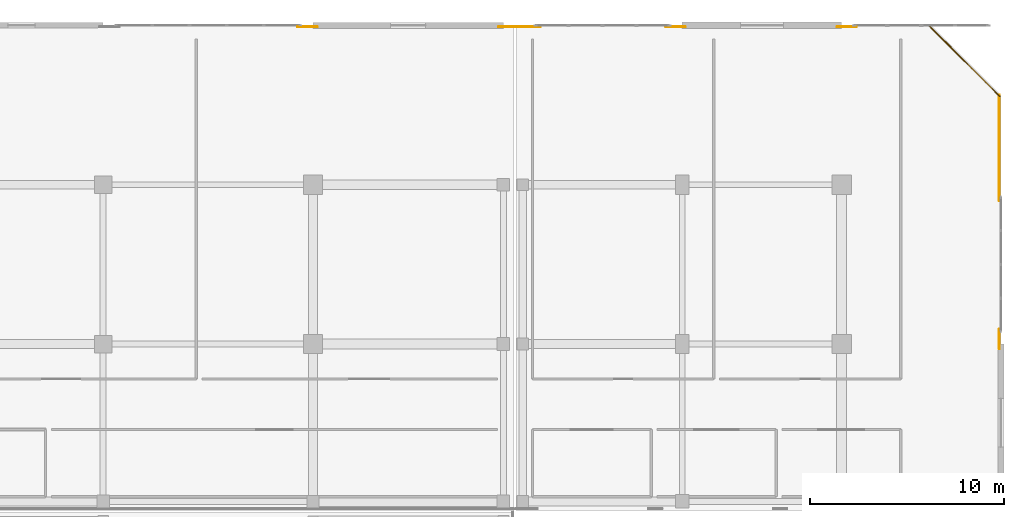
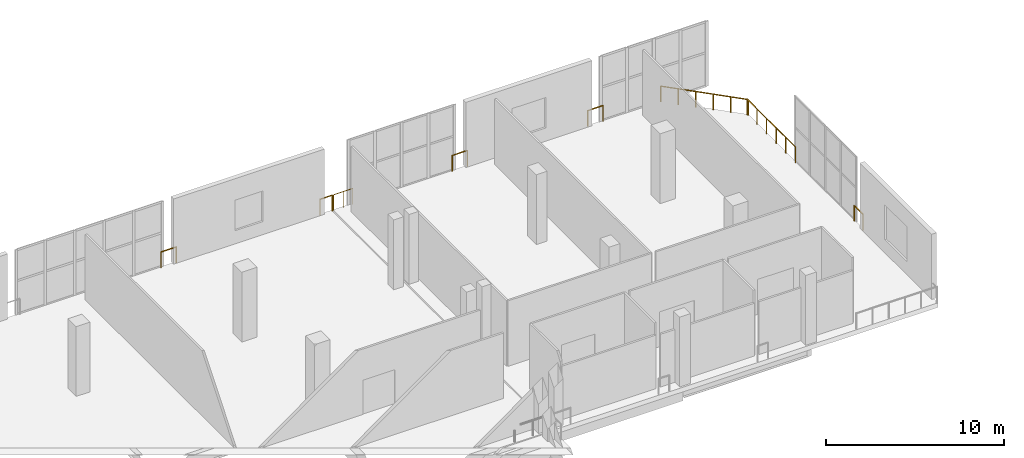
# One storey, part 129 of 129: 8 railings.
"""IFC4 building model written with IfcOpenShell, lengths in metres."""

from ifc_helpers import new_model, si_unit, direction, frame, origin, origin_2d, place, context, subcontext, project, spatial, circle, extrude, material, type_object, element, save


model = new_model("IFC4")

# Units and contexts
model_context = context("Model", 3, precision=1e-05, world=origin(), true_north=direction((0.0, 1.0)))
body_context = subcontext(model_context, "Body", "Model", "MODEL_VIEW")
ifc_project = project(units=[si_unit("LENGTHUNIT", "METRE"), si_unit("AREAUNIT", "SQUARE_METRE"), si_unit("VOLUMEUNIT", "CUBIC_METRE"), si_unit("PLANEANGLEUNIT", "RADIAN"), si_unit("MASSUNIT", "GRAM", prefix="KILO")], contexts=[model_context])

# Site, building, storey
site_placement = place(None, origin())
site = spatial("IfcSite", under=ifc_project, at=site_placement, CompositionType="ELEMENT")
building_placement = place(site_placement, origin())
building = spatial("IfcBuilding", under=site, at=building_placement, Name="Koshinbarg Plaza Stadium", CompositionType="ELEMENT")
storey_placement = place(building_placement, frame((0.0, 0.0, 5.39990234375)))
storey = spatial("IfcBuildingStorey", under=building, at=storey_placement, Name="L01", CompositionType="ELEMENT", Elevation=5.39990234375)

# Railings
ifc_material = material(Name="Toughened laminated glass and stainless steel sightline balustrade", Category="steel")
railing_type = type_object("IfcRailingType", Name="RL-BOWL-1100", PredefinedType="BALUSTRADE", material=ifc_material)
railing_1_placement = place(storey_placement, frame((207.8154296875, 151.919921875, 0.0)))
element("IfcRailing", 1, at=railing_1_placement, inside=storey, type_object=railing_type, Name="L01 deck edge safety balustrade 0049", PredefinedType="BALUSTRADE", context=body_context, shape_type="SweptSolid", body=[
    extrude(circle(Radius=0.02392578125, at=origin_2d()), frame((0.0, 0.0, 1.076171875), z_axis=(1.0, 0.0, 0.0), x_axis=(0.0, 1.0, 0.0)), (0.0, 0.0, 1.0), 0.999267578125),
    extrude(circle(Radius=0.02099609375, at=origin_2d()), origin(), (0.0, 0.0, 1.0), 1.052001953125),
    extrude(circle(Radius=0.02099609375, at=origin_2d()), frame((0.999267578125, 0.0, 0.0)), (0.0, 0.0, 1.0), 1.052001953125),
])
railing_2_placement = place(storey_placement, frame((218.155517578125, 151.919921875, 0.0)))
element("IfcRailing", 2, at=railing_2_placement, inside=storey, type_object=railing_type, Name="L01 deck edge safety balustrade 0050", PredefinedType="BALUSTRADE", context=body_context, shape_type="SweptSolid", body=[
    extrude(circle(Radius=0.02392578125, at=origin_2d()), frame((0.0, 0.0, 1.076171875), z_axis=(1.0, 0.0, 0.0), x_axis=(0.0, 1.0, 0.0)), (0.0, 0.0, 1.0), 0.799560546875),
    extrude(circle(Radius=0.02099609375, at=origin_2d()), origin(), (0.0, 0.0, 1.0), 1.052001953125),
    extrude(circle(Radius=0.02099609375, at=origin_2d()), frame((0.799560546875, 0.0, 0.0)), (0.0, 0.0, 1.0), 1.052001953125),
])
railing_3_placement = place(storey_placement, frame((219.044921875, 151.919921875, 0.0)))
element("IfcRailing", 3, at=railing_3_placement, inside=storey, type_object=railing_type, Name="L01 deck edge safety balustrade 0051", PredefinedType="BALUSTRADE", context=body_context, shape_type="SweptSolid", body=[
    extrude(circle(Radius=0.02392578125, at=origin_2d()), frame((0.0, 0.0, 1.076171875), z_axis=(1.0, 0.0, 0.0), x_axis=(0.0, 1.0, 0.0)), (0.0, 0.0, 1.0), 1.245361328125),
    extrude(circle(Radius=0.02099609375, at=origin_2d()), origin(), (0.0, 0.0, 1.0), 1.052001953125),
    extrude(circle(Radius=0.02099609375, at=origin_2d()), frame((0.62255859375, 0.0, 0.0)), (0.0, 0.0, 1.0), 1.052001953125),
    extrude(circle(Radius=0.02099609375, at=origin_2d()), frame((1.245361328125, 0.0, 0.0)), (0.0, 0.0, 1.0), 1.052001953125),
])
for number, where, name in (
    (4, (226.759765625, 151.919921875, 0.0), "L01 deck edge safety balustrade 0052"),
    (5, (235.570556640625, 151.919921875, 0.0), "L01 deck edge safety balustrade 0053"),
):
    element("IfcRailing", number, at=place(storey_placement, frame(where)), inside=storey, type_object=railing_type, Name=name, PredefinedType="BALUSTRADE", context=body_context, shape_type="SweptSolid", body=[
        extrude(circle(Radius=0.02392578125, at=origin_2d()), frame((0.0, 0.0, 1.076171875), z_axis=(1.0, 0.0, 0.0), x_axis=(0.0, 1.0, 0.0)), (0.0, 0.0, 1.0), 0.997314453125),
        extrude(circle(Radius=0.02099609375, at=origin_2d()), origin(), (0.0, 0.0, 1.0), 1.052001953125),
        extrude(circle(Radius=0.02099609375, at=origin_2d()), frame((0.997314453125, 0.0, 0.0)), (0.0, 0.0, 1.0), 1.052001953125),
    ])
railing_4_placement = place(storey_placement, frame((240.343505859375, 151.943359375, 0.0)))
element("IfcRailing", 6, at=railing_4_placement, inside=storey, type_object=railing_type, Name="L01 deck edge safety balustrade 0054", PredefinedType="BALUSTRADE", context=body_context, shape_type="SweptSolid", body=[
    extrude(circle(Radius=0.02392578125, at=origin_2d()), frame((0.0, 0.0, 1.076171875), z_axis=(0.707106781187, -0.707106781187, 0.0), x_axis=(0.707106781187, 0.707106781187, 0.0)), (0.0, 0.0, 1.0), 5.091064453125),
    extrude(circle(Radius=0.02099609375, at=origin_2d()), origin(), (0.0, 0.0, 1.0), 1.052001953125),
    extrude(circle(Radius=0.02099609375, at=origin_2d()), frame((0.719970703125, -0.719970703125, 0.0)), (0.0, 0.0, 1.0), 1.052001953125),
    extrude(circle(Radius=0.02099609375, at=origin_2d()), frame((1.43994140625, -1.43994140625, 0.0)), (0.0, 0.0, 1.0), 1.052001953125),
    extrude(circle(Radius=0.02099609375, at=origin_2d()), frame((2.159912109375, -2.159912109375, 0.0)), (0.0, 0.0, 1.0), 1.052001953125),
    extrude(circle(Radius=0.02099609375, at=origin_2d()), frame((2.8798828125, -2.8798828125, 0.0)), (0.0, 0.0, 1.0), 1.052001953125),
    extrude(circle(Radius=0.02099609375, at=origin_2d()), frame((3.599853515625, -3.599853515625, 0.0)), (0.0, 0.0, 1.0), 1.052001953125),
])
railing_5_placement = place(storey_placement, frame((243.919921875, 148.39990234375, 0.0)))
element("IfcRailing", 7, at=railing_5_placement, inside=storey, type_object=railing_type, Name="L01 deck edge safety balustrade 0055", PredefinedType="BALUSTRADE", context=body_context, shape_type="SweptSolid", body=[
    extrude(circle(Radius=0.02392578125, at=origin_2d()), frame((0.0, 0.0, 1.076171875), z_axis=(0.0, -1.0, 0.0), x_axis=(1.0, 0.0, 0.0)), (0.0, 0.0, 1.0), 5.426513671875),
    extrude(circle(Radius=0.02099609375, at=origin_2d()), origin(), (0.0, 0.0, 1.0), 1.052001953125),
    extrude(circle(Radius=0.02099609375, at=origin_2d()), frame((0.0, -1.085205078125, 0.0)), (0.0, 0.0, 1.0), 1.052001953125),
    extrude(circle(Radius=0.02099609375, at=origin_2d()), frame((0.0, -2.170654296875, 0.0)), (0.0, 0.0, 1.0), 1.052001953125),
    extrude(circle(Radius=0.02099609375, at=origin_2d()), frame((0.0, -3.255859375, 0.0)), (0.0, 0.0, 1.0), 1.052001953125),
    extrude(circle(Radius=0.02099609375, at=origin_2d()), frame((0.0, -4.34130859375, 0.0)), (0.0, 0.0, 1.0), 1.052001953125),
    extrude(circle(Radius=0.02099609375, at=origin_2d()), frame((0.0, -5.426513671875, 0.0)), (0.0, 0.0, 1.0), 1.052001953125),
])
railing_6_placement = place(storey_placement, frame((243.919921875, 136.3544921875, 0.0)))
element("IfcRailing", 8, at=railing_6_placement, inside=storey, type_object=railing_type, Name="L01 deck edge safety balustrade 0056", PredefinedType="BALUSTRADE", context=body_context, shape_type="SweptSolid", body=[
    extrude(circle(Radius=0.02392578125, at=origin_2d()), frame((0.0, 0.0, 1.076171875), z_axis=(0.0, -1.0, 0.0), x_axis=(1.0, 0.0, 0.0)), (0.0, 0.0, 1.0), 0.997314453125),
    extrude(circle(Radius=0.02099609375, at=origin_2d()), origin(), (0.0, 0.0, 1.0), 1.052001953125),
    extrude(circle(Radius=0.02099609375, at=origin_2d()), frame((0.0, -0.997314453125, 0.0)), (0.0, 0.0, 1.0), 1.052001953125),
])

save(model, "model.ifc")
